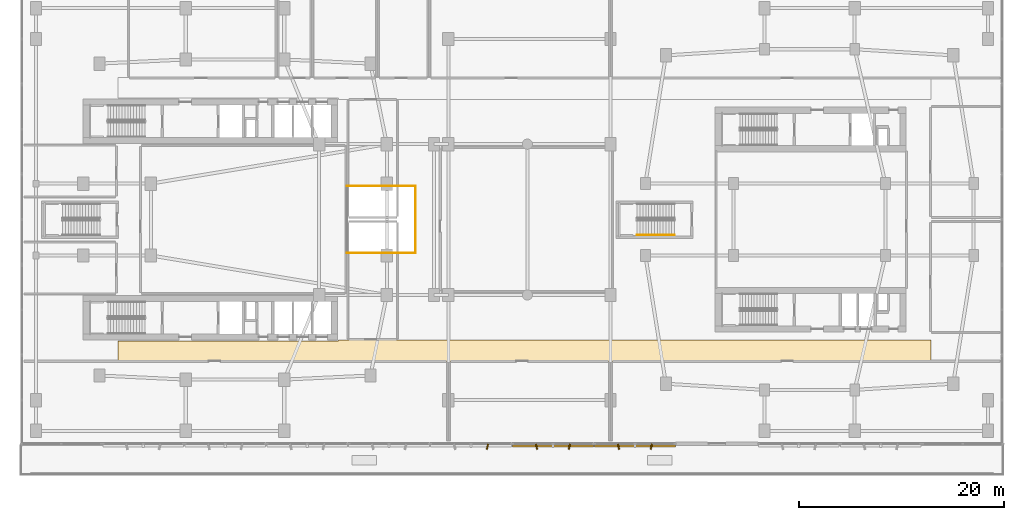
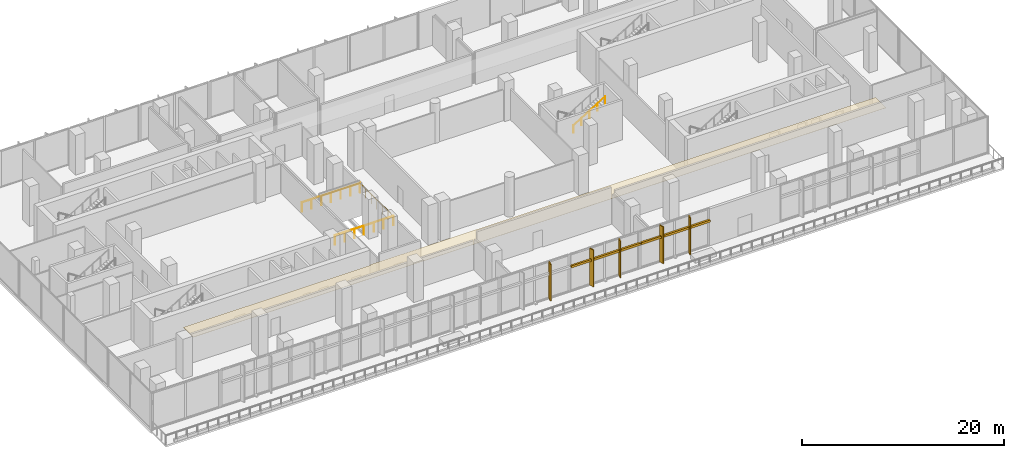
# One storey, part 23 of 30: 7 shading devices, 4 railings, 1 covering.
"""IFC4 building model written with IfcOpenShell, lengths in metres."""

from ifc_helpers import new_model, si_unit, derived_unit, direction, frame, origin, origin_2d, place, context, subcontext, project, spatial, polyline, rectangle, circle, outline, extrude, material, layer, layer_set, type_object, element, save


model = new_model("IFC4")

# Units and contexts
model_context = context("Model", 3, precision=1e-05, world=origin(), true_north=direction((0.0, 1.0)))
body_context = subcontext(model_context, "Body", "Model", "MODEL_VIEW")
ifc_project = project(units=[si_unit("LENGTHUNIT", "METRE"), si_unit("AREAUNIT", "SQUARE_METRE"), si_unit("VOLUMEUNIT", "CUBIC_METRE"), si_unit("PLANEANGLEUNIT", "RADIAN"), si_unit("MASSUNIT", "GRAM", prefix="KILO"), derived_unit("THERMALTRANSMITTANCEUNIT", [(si_unit("POWERUNIT", "WATT"), 1), (si_unit("LENGTHUNIT", "METRE"), -2), (si_unit("THERMODYNAMICTEMPERATUREUNIT", "KELVIN"), -1)])], contexts=[model_context])

# Site, building, storey
site_placement = place(None, origin())
site = spatial("IfcSite", under=ifc_project, at=site_placement, CompositionType="ELEMENT")
building_placement = place(site_placement, origin())
building = spatial("IfcBuilding", under=site, at=building_placement, Name="Kivonza Crest Hotel", CompositionType="ELEMENT")
storey_placement = place(building_placement, frame((0.0, 0.0, 10.199951171875)))
storey = spatial("IfcBuildingStorey", under=building, at=storey_placement, Name="L02", CompositionType="ELEMENT", Elevation=10.199951171875)

# Covering
ifc_material_1 = material(Name="Mineral-fibre acoustic ceiling tile", Category="gypsum")
ifc_layer = layer(ifc_material_1, 0.02490234375)
ifc_layer_set = layer_set([ifc_layer], Name="Mineral-fibre acoustic ceiling tile")
covering_type = type_object("IfcCoveringType", Name="CV-CEIL-ACOU", PredefinedType="CEILING", material=ifc_layer_set)
covering_placement = place(storey_placement, frame((0.0, 0.0, 3.0)))
element("IfcCovering", 1, at=covering_placement, inside=storey, type_object=covering_type, Name="L02 L02 South and East Podium Corridor suspended ceiling", PredefinedType="CEILING", context=body_context, shape_type="SweptSolid", body=[
    extrude(outline(polyline([(88.840087890625, 11.159912109375), (88.840087890625, 13.239990234375), (31.10009765625, 13.239990234375), (31.10009765625, 13.139892578125), (9.610107421875, 13.139892578125), (9.610107421875, 11.159912109375), (88.840087890625, 11.159912109375)])), origin(), (0.0, 0.0, 1.0), 0.025146484375),
])

# Railings
ifc_material_2 = material(Name="Brushed stainless steel handrail", Category="steel")
railing_type_1 = type_object("IfcRailingType", Name="RL-HAND-900", PredefinedType="HANDRAIL", material=ifc_material_2)
railing_1_placement = place(storey_placement, frame((60.199951171875, 23.489990234375, 2.571533203125)))
element("IfcRailing", 2, at=railing_1_placement, inside=storey, type_object=railing_type_1, Name="L02 ST-POD-E stair handrail 2", PredefinedType="HANDRAIL", context=body_context, shape_type="SweptSolid", body=[
    extrude(circle(Radius=0.02392578125, at=origin_2d()), frame((0.0, 0.0, 0.8759765625), z_axis=(0.852865859571, 0.0, 0.52213008492), x_axis=(0.0, 1.0, 0.0)), (0.0, 0.0, 1.0), 4.26806640625),
    extrude(circle(Radius=0.02099609375, at=origin_2d()), origin(), (0.0, 0.0, 1.0), 0.851806640625),
    extrude(circle(Radius=0.02099609375, at=origin_2d()), frame((0.91015625, 0.0, 0.55712890625)), (0.0, 0.0, 1.0), 0.851806640625),
    extrude(circle(Radius=0.02099609375, at=origin_2d()), frame((1.820068359375, 0.0, 1.1142578125)), (0.0, 0.0, 1.0), 0.851806640625),
    extrude(circle(Radius=0.02099609375, at=origin_2d()), frame((2.72998046875, 0.0, 1.67138671875)), (0.0, 0.0, 1.0), 0.851806640625),
    extrude(circle(Radius=0.02099609375, at=origin_2d()), frame((3.64013671875, 0.0, 2.228515625)), (0.0, 0.0, 1.0), 0.851806640625),
])
ifc_material_3 = material(Name="Painted steel balustrade", Category="steel")
railing_type_2 = type_object("IfcRailingType", Name="RL-STAIR-1150", PredefinedType="BALUSTRADE", material=ifc_material_3)
railing_2_placement = place(storey_placement, frame((31.919921875, 21.719970703125, 0.0)))
element("IfcRailing", 3, at=railing_2_placement, inside=storey, type_object=railing_type_2, Name="L02 podium atrium void safety guard 1", PredefinedType="BALUSTRADE", context=body_context, shape_type="SweptSolid", body=[
    extrude(circle(Radius=0.02392578125, at=origin_2d()), frame((0.0, 0.0, 1.1259765625), z_axis=(1.0, 0.0, 0.0), x_axis=(0.0, 1.0, 0.0)), (0.0, 0.0, 1.0), 6.66015625),
    extrude(circle(Radius=0.02099609375, at=origin_2d()), origin(), (0.0, 0.0, 1.0), 1.101806640625),
    extrude(circle(Radius=0.02099609375, at=origin_2d()), frame((1.110107421875, 0.0, 0.0)), (0.0, 0.0, 1.0), 1.101806640625),
    extrude(circle(Radius=0.02099609375, at=origin_2d()), frame((2.219970703125, 0.0, 0.0)), (0.0, 0.0, 1.0), 1.101806640625),
    extrude(circle(Radius=0.02099609375, at=origin_2d()), frame((3.330078125, 0.0, 0.0)), (0.0, 0.0, 1.0), 1.101806640625),
    extrude(circle(Radius=0.02099609375, at=origin_2d()), frame((4.440185546875, 0.0, 0.0)), (0.0, 0.0, 1.0), 1.101806640625),
    extrude(circle(Radius=0.02099609375, at=origin_2d()), frame((5.550048828125, 0.0, 0.0)), (0.0, 0.0, 1.0), 1.101806640625),
    extrude(circle(Radius=0.02099609375, at=origin_2d()), frame((6.66015625, 0.0, 0.0)), (0.0, 0.0, 1.0), 1.101806640625),
])
railing_3_placement = place(storey_placement, frame((38.580078125, 21.719970703125, 0.0)))
element("IfcRailing", 4, at=railing_3_placement, inside=storey, type_object=railing_type_2, Name="L02 podium atrium void safety guard 2", PredefinedType="BALUSTRADE", context=body_context, shape_type="SweptSolid", body=[
    extrude(circle(Radius=0.02392578125, at=origin_2d()), frame((0.0, 0.0, 1.1259765625), z_axis=(0.0, 1.0, 0.0), x_axis=(-1.0, 0.0, 0.0)), (0.0, 0.0, 1.0), 6.56005859375),
    extrude(circle(Radius=0.02099609375, at=origin_2d()), origin(), (0.0, 0.0, 1.0), 1.101806640625),
    extrude(circle(Radius=0.02099609375, at=origin_2d()), frame((0.0, 1.09326171875, 0.0)), (0.0, 0.0, 1.0), 1.101806640625),
    extrude(circle(Radius=0.02099609375, at=origin_2d()), frame((0.0, 2.186767578125, 0.0)), (0.0, 0.0, 1.0), 1.101806640625),
    extrude(circle(Radius=0.02099609375, at=origin_2d()), frame((0.0, 3.280029296875, 0.0)), (0.0, 0.0, 1.0), 1.101806640625),
    extrude(circle(Radius=0.02099609375, at=origin_2d()), frame((0.0, 4.373291015625, 0.0)), (0.0, 0.0, 1.0), 1.101806640625),
    extrude(circle(Radius=0.02099609375, at=origin_2d()), frame((0.0, 5.466796875, 0.0)), (0.0, 0.0, 1.0), 1.101806640625),
    extrude(circle(Radius=0.02099609375, at=origin_2d()), frame((0.0, 6.56005859375, 0.0)), (0.0, 0.0, 1.0), 1.101806640625),
])
railing_4_placement = place(storey_placement, frame((38.580078125, 28.280029296875, 0.0)))
element("IfcRailing", 5, at=railing_4_placement, inside=storey, type_object=railing_type_2, Name="L02 podium atrium void safety guard 3", PredefinedType="BALUSTRADE", context=body_context, shape_type="SweptSolid", body=[
    extrude(circle(Radius=0.02392578125, at=origin_2d()), frame((0.0, 0.0, 1.1259765625), z_axis=(-1.0, 0.0, 0.0), x_axis=(0.0, -1.0, 0.0)), (0.0, 0.0, 1.0), 6.66015625),
    extrude(circle(Radius=0.02099609375, at=origin_2d()), origin(), (0.0, 0.0, 1.0), 1.101806640625),
    extrude(circle(Radius=0.02099609375, at=origin_2d()), frame((-1.110107421875, 0.0, 0.0)), (0.0, 0.0, 1.0), 1.101806640625),
    extrude(circle(Radius=0.02099609375, at=origin_2d()), frame((-2.219970703125, 0.0, 0.0)), (0.0, 0.0, 1.0), 1.101806640625),
    extrude(circle(Radius=0.02099609375, at=origin_2d()), frame((-3.330078125, 0.0, 0.0)), (0.0, 0.0, 1.0), 1.101806640625),
    extrude(circle(Radius=0.02099609375, at=origin_2d()), frame((-4.440185546875, 0.0, 0.0)), (0.0, 0.0, 1.0), 1.101806640625),
    extrude(circle(Radius=0.02099609375, at=origin_2d()), frame((-5.550048828125, 0.0, 0.0)), (0.0, 0.0, 1.0), 1.101806640625),
    extrude(circle(Radius=0.02099609375, at=origin_2d()), frame((-6.66015625, 0.0, 0.0)), (0.0, 0.0, 1.0), 1.101806640625),
])

# Shading devices
ifc_material_4 = material(Name="Kiln-fired Nairobi red-ochre terracotta", Category="masonry")
shading_device_type_1 = type_object("IfcShadingDeviceType", Name="SH-BAGUETTE-300", PredefinedType="USERDEFINED", material=ifc_material_4)
shading_device_1_placement = place(storey_placement, frame((51.992919921875, 2.919921875, 2.98486328125), z_axis=(0.0, 0.0, 1.0), x_axis=(1.0, 0.0, 0.0)))
element("IfcShadingDevice", 6, at=shading_device_1_placement, inside=storey, type_object=shading_device_type_1, Name="L02 terracotta baguette screen CW-POD-L02-07", ObjectType="BAGUETTE", PredefinedType="USERDEFINED", context=body_context, shape_type="SweptSolid", body=[
    extrude(rectangle(XDim=7.866943359375, YDim=0.219970703125, at=origin_2d()), origin(), (0.0, 0.0, 1.0), 0.260009765625),
])
shading_device_2_placement = place(storey_placement, frame((59.97998046875, 2.919921875, 2.98486328125), z_axis=(0.0, 0.0, 1.0), x_axis=(1.0, 0.0, 0.0)))
element("IfcShadingDevice", 7, at=shading_device_2_placement, inside=storey, type_object=shading_device_type_1, Name="L02 terracotta baguette screen CW-POD-L02-08", ObjectType="BAGUETTE", PredefinedType="USERDEFINED", context=body_context, shape_type="SweptSolid", body=[
    extrude(rectangle(XDim=7.865966796875, YDim=0.219970703125, at=origin_2d()), origin(), (0.0, 0.0, 1.0), 0.260009765625),
])
ifc_material_5 = material(Name="Kiln-fired terracotta over extruded aluminium spine", Category="masonry")
shading_device_type_2 = type_object("IfcShadingDeviceType", Name="SH-FIN-550", PredefinedType="USERDEFINED", material=ifc_material_5)
for number, where, z_axis, x_axis, name in (
    (8, (45.60400390625, 2.860107421875, 0.0), (0.0, 0.0, 1.0), (0.970295726276, -0.2419218956, 0.0), "L02 vertical solar shading fin CW-POD-L02-06-2"),
    (9, (50.39599609375, 2.860107421875, 0.0), (0.0, 0.0, 1.0), (0.970295726276, 0.2419218956, 0.0), "L02 vertical solar shading fin CW-POD-L02-07-1"),
    (10, (53.591064453125, 2.860107421875, 0.0), (0.0, 0.0, 1.0), (0.970295726276, -0.2419218956, 0.0), "L02 vertical solar shading fin CW-POD-L02-07-2"),
    (11, (58.383056640625, 2.860107421875, 0.0), (0.0, 0.0, 1.0), (0.970295726276, 0.2419218956, 0.0), "L02 vertical solar shading fin CW-POD-L02-08-1"),
    (12, (61.576904296875, 2.860107421875, 0.0), (0.0, 0.0, 1.0), (0.970295726276, -0.2419218956, 0.0), "L02 vertical solar shading fin CW-POD-L02-08-2"),
):
    element("IfcShadingDevice", number, at=place(storey_placement, frame(where, z_axis=z_axis, x_axis=x_axis)), inside=storey, type_object=shading_device_type_2, Name=name, ObjectType="FIN", PredefinedType="USERDEFINED", context=body_context, shape_type="SweptSolid", body=[
        extrude(rectangle(XDim=0.1201171875, YDim=0.550048828125, at=origin_2d()), origin(), (0.0, 0.0, 1.0), 4.449951171875),
    ])

save(model, "model.ifc")
